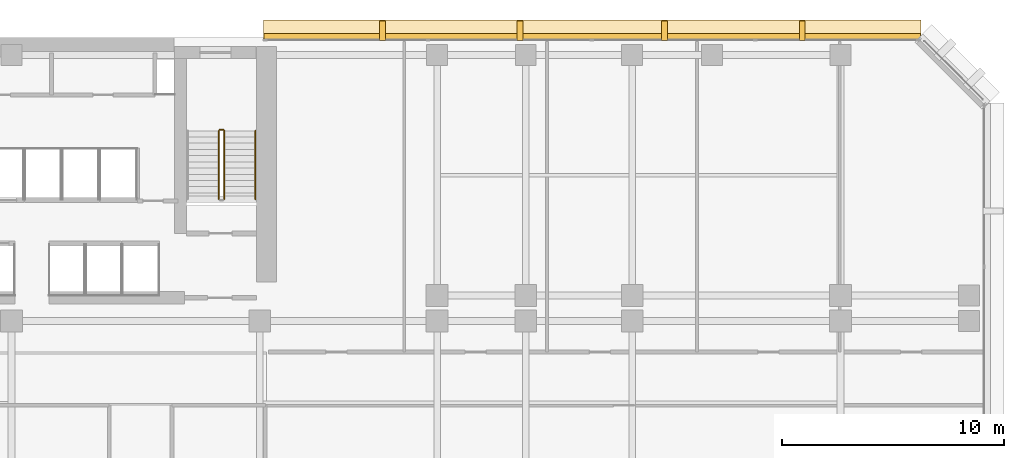
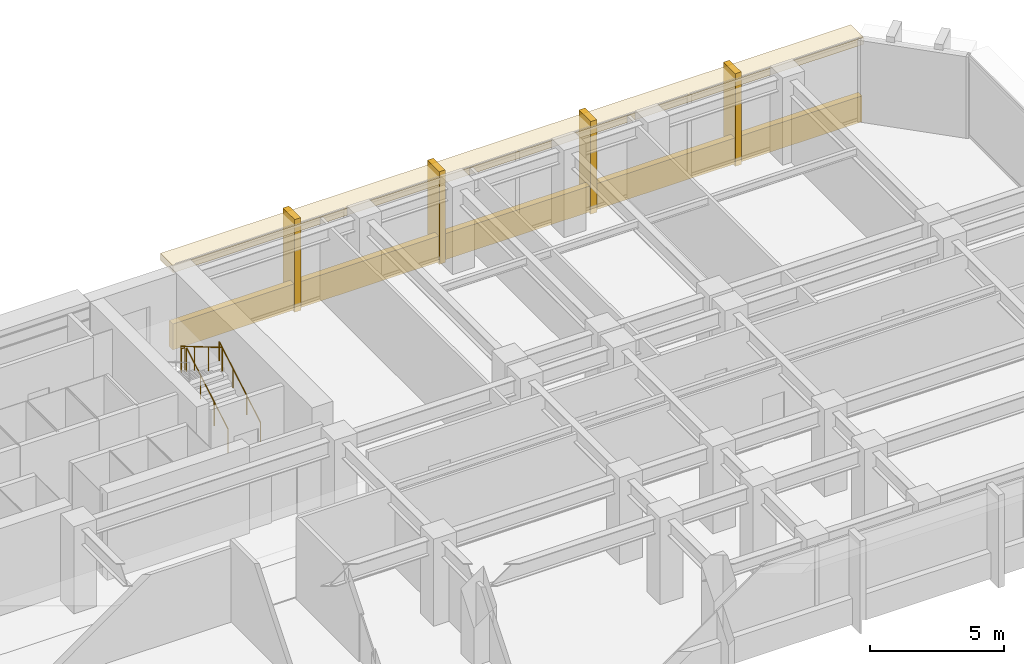
# One storey, part 12 of 13: 6 coverings, 4 railings.
"""IFC4 building model written with IfcOpenShell, lengths in metres."""

from ifc_helpers import new_model, si_unit, direction, frame, origin, origin_2d, place, context, subcontext, project, spatial, rectangle, circle, extrude, material, layer, layer_set, type_object, element, save


model = new_model("IFC4")

# Units and contexts
model_context = context("Model", 3, precision=1e-05, world=origin(), true_north=direction((0.0, 1.0)))
body_context = subcontext(model_context, "Body", "Model", "MODEL_VIEW")
ifc_project = project(units=[si_unit("LENGTHUNIT", "METRE"), si_unit("AREAUNIT", "SQUARE_METRE"), si_unit("VOLUMEUNIT", "CUBIC_METRE"), si_unit("PLANEANGLEUNIT", "RADIAN"), si_unit("MASSUNIT", "GRAM", prefix="KILO")], contexts=[model_context])

# Site, building, storey
site_placement = place(None, origin())
site = spatial("IfcSite", under=ifc_project, at=site_placement, CompositionType="ELEMENT")
building_placement = place(site_placement, origin())
building = spatial("IfcBuilding", under=site, at=building_placement, Name="Kefirva Bronze Tower", CompositionType="ELEMENT")
storey_placement = place(building_placement, frame((0.0, 0.0, 69.9599609375)))
storey = spatial("IfcBuildingStorey", under=building, at=storey_placement, Name="L16", CompositionType="ELEMENT", Elevation=69.9599609375)

# Covering
ifc_material_1 = material(Name="Bronze anodised aluminium", Category="aluminium")
ifc_layer_1 = layer(ifc_material_1, 0.02001953125, Name="Bronze anodised aluminium")
ifc_layer_set_1 = layer_set([ifc_layer_1], Name="Bronze anodised aluminium")
covering_type_1 = type_object("IfcCoveringType", Name="Anodised Bronze Spandrel Cladding 20mm", PredefinedType="CLADDING", material=ifc_layer_set_1)
covering_1_placement = place(storey_placement, frame((38.202392578125, 46.0400390625, -0.16015625), z_axis=(0.0, 0.0, 1.0), x_axis=(-1.0, 0.0, 0.0)))
element("IfcCovering", 1, at=covering_1_placement, inside=storey, type_object=covering_type_1, Name="L16 Streamline Horizontal Spandrel Band 8", PredefinedType="CLADDING", context=body_context, shape_type="SweptSolid", body=[
    extrude(rectangle(XDim=29.635009765625, YDim=0.280029296875, at=origin_2d()), origin(), (0.0, 0.0, 1.0), 1.179931640625),
])

# Railings
ifc_material_2 = material(Name="Stainless steel 316", Category="steel")
railing_type_1 = type_object("IfcRailingType", Name="Interior Stair Guardrail 1100mm", PredefinedType="GUARDRAIL", material=ifc_material_2)
railing_1_placement = place(storey_placement, frame((21.60009765625, 38.699951171875, 0.1650390625)))
element("IfcRailing", 2, at=railing_1_placement, inside=storey, type_object=railing_type_1, Name="L16 ST-2 stair guard 1", PredefinedType="GUARDRAIL", context=body_context, shape_type="SweptSolid", body=[
    extrude(circle(Radius=0.02392578125, at=origin_2d()), frame((0.0, 0.0, 1.076171875), z_axis=(0.0, 0.861551262678, 0.507670583921), x_axis=(-1.0, 0.0, 0.0)), (0.0, 0.0, 1.0), 3.574951171875),
    extrude(circle(Radius=0.02099609375, at=origin_2d()), origin(), (0.0, 0.0, 1.0), 1.052001953125),
    extrude(circle(Radius=0.02099609375, at=origin_2d()), frame((0.0, 1.026611328125, 0.60498046875)), (0.0, 0.0, 1.0), 1.052001953125),
    extrude(circle(Radius=0.02099609375, at=origin_2d()), frame((0.0, 2.053466796875, 1.2099609375)), (0.0, 0.0, 1.0), 1.052001953125),
    extrude(circle(Radius=0.02099609375, at=origin_2d()), frame((0.0, 3.080078125, 1.81494140625)), (0.0, 0.0, 1.0), 1.052001953125),
])
railing_2_placement = place(storey_placement, frame((21.550048828125, 41.830078125, 1.97998046875)))
element("IfcRailing", 3, at=railing_2_placement, inside=storey, type_object=railing_type_1, Name="L16 ST-2 stair guard 2", PredefinedType="GUARDRAIL", context=body_context, shape_type="SweptSolid", body=[
    extrude(circle(Radius=0.02392578125, at=origin_2d()), frame((0.0, 0.0, 1.076171875), z_axis=(-1.0, 0.0, 0.0), x_axis=(0.0, -1.0, 0.0)), (0.0, 0.0, 1.0), 0.150146484375),
    extrude(circle(Radius=0.02099609375, at=origin_2d()), origin(), (0.0, 0.0, 1.0), 1.052001953125),
    extrude(circle(Radius=0.02099609375, at=origin_2d()), frame((-0.150146484375, 0.0, 0.0)), (0.0, 0.0, 1.0), 1.052001953125),
])
railing_3_placement = place(storey_placement, frame((21.35009765625, 41.780029296875, 2.14501953125)))
element("IfcRailing", 4, at=railing_3_placement, inside=storey, type_object=railing_type_1, Name="L16 ST-2 stair guard 3", PredefinedType="GUARDRAIL", context=body_context, shape_type="SweptSolid", body=[
    extrude(circle(Radius=0.02392578125, at=origin_2d()), frame((0.0, 0.0, 1.076171875), z_axis=(0.0, -0.861551262678, 0.507670583921), x_axis=(1.0, 0.0, 0.0)), (0.0, 0.0, 1.0), 3.574951171875),
    extrude(circle(Radius=0.02099609375, at=origin_2d()), origin(), (0.0, 0.0, 1.0), 1.052001953125),
    extrude(circle(Radius=0.02099609375, at=origin_2d()), frame((0.0, -1.026611328125, 0.60498046875)), (0.0, 0.0, 1.0), 1.052001953125),
    extrude(circle(Radius=0.02099609375, at=origin_2d()), frame((0.0, -2.053466796875, 1.2099609375)), (0.0, 0.0, 1.0), 1.052001953125),
    extrude(circle(Radius=0.02099609375, at=origin_2d()), frame((0.0, -3.080078125, 1.81494140625)), (0.0, 0.0, 1.0), 1.052001953125),
])
railing_type_2 = type_object("IfcRailingType", Name="Stair Pitch Handrail 900mm", PredefinedType="HANDRAIL", material=ifc_material_2)
railing_4_placement = place(storey_placement, frame((23.0, 38.699951171875, 0.1650390625)))
element("IfcRailing", 5, at=railing_4_placement, inside=storey, type_object=railing_type_2, Name="L16 ST-2 stair handrail 1", PredefinedType="HANDRAIL", context=body_context, shape_type="SweptSolid", body=[
    extrude(circle(Radius=0.02392578125, at=origin_2d()), frame((0.0, 0.0, 0.8759765625), z_axis=(0.0, 0.861551262678, 0.507670583921), x_axis=(-1.0, 0.0, 0.0)), (0.0, 0.0, 1.0), 3.574951171875),
    extrude(circle(Radius=0.02099609375, at=origin_2d()), origin(), (0.0, 0.0, 1.0), 0.851806640625),
    extrude(circle(Radius=0.02099609375, at=origin_2d()), frame((0.0, 1.026611328125, 0.60498046875)), (0.0, 0.0, 1.0), 0.851806640625),
    extrude(circle(Radius=0.02099609375, at=origin_2d()), frame((0.0, 2.053466796875, 1.2099609375)), (0.0, 0.0, 1.0), 0.851806640625),
    extrude(circle(Radius=0.02099609375, at=origin_2d()), frame((0.0, 3.080078125, 1.81494140625)), (0.0, 0.0, 1.0), 0.851806640625),
])

# Coverings
ifc_layer_2 = layer(ifc_material_1, 0.179931640625, Name="Bronze anodised aluminium")
ifc_layer_set_2 = layer_set([ifc_layer_2], Name="Bronze anodised aluminium")
covering_type_2 = type_object("IfcCoveringType", Name="Streamline Bronze Sunshade Eyebrow Cladding 180mm", PredefinedType="CLADDING", material=ifc_layer_set_2)
covering_2_placement = place(storey_placement, frame((38.202392578125, 46.31005859375, 3.39013671875), z_axis=(0.0, 0.0, 1.0), x_axis=(-1.0, 0.0, 0.0)))
element("IfcCovering", 6, at=covering_2_placement, inside=storey, type_object=covering_type_2, Name="L16 Streamline Bronze Sunshade Eyebrow 8", PredefinedType="CLADDING", context=body_context, shape_type="SweptSolid", body=[
    extrude(rectangle(XDim=29.675048828125, YDim=0.93994140625, at=origin_2d()), origin(), (0.0, 0.0, 1.0), 0.320068359375),
])
ifc_layer_3 = layer(ifc_material_1, 0.260009765625, Name="Bronze anodised aluminium")
ifc_layer_set_3 = layer_set([ifc_layer_3], Name="Bronze anodised aluminium")
covering_type_3 = type_object("IfcCoveringType", Name="Unbroken Bronze Buttress Fin Cladding 260mm", PredefinedType="CLADDING", material=ifc_layer_set_3)
for number, where, z_axis, x_axis, name in (
    (7, (47.6728515625, 46.300048828125, -0.25), (0.0, 0.0, 1.0), (-1.0, 0.0, 0.0), "L16 Unbroken Vertical Bronze Rib Fin 19"),
    (8, (41.4580078125, 46.300048828125, -0.25), (0.0, 0.0, 1.0), (-1.0, 0.0, 0.0), "L16 Unbroken Vertical Bronze Rib Fin 20"),
    (9, (34.947021484375, 46.300048828125, -0.25), (0.0, 0.0, 1.0), (-1.0, 0.0, 0.0), "L16 Unbroken Vertical Bronze Rib Fin 21"),
    (10, (28.732177734375, 46.300048828125, -0.25), (0.0, 0.0, 1.0), (-1.0, 0.0, 0.0), "L16 Unbroken Vertical Bronze Rib Fin 22"),
):
    element("IfcCovering", number, at=place(storey_placement, frame(where, z_axis=z_axis, x_axis=x_axis)), inside=storey, type_object=covering_type_3, Name=name, PredefinedType="CLADDING", context=body_context, shape_type="SweptSolid", body=[
        extrude(rectangle(XDim=0.260009765625, YDim=0.8798828125, at=origin_2d()), origin(), (0.0, 0.0, 1.0), 4.2099609375),
    ])

save(model, "model.ifc")
